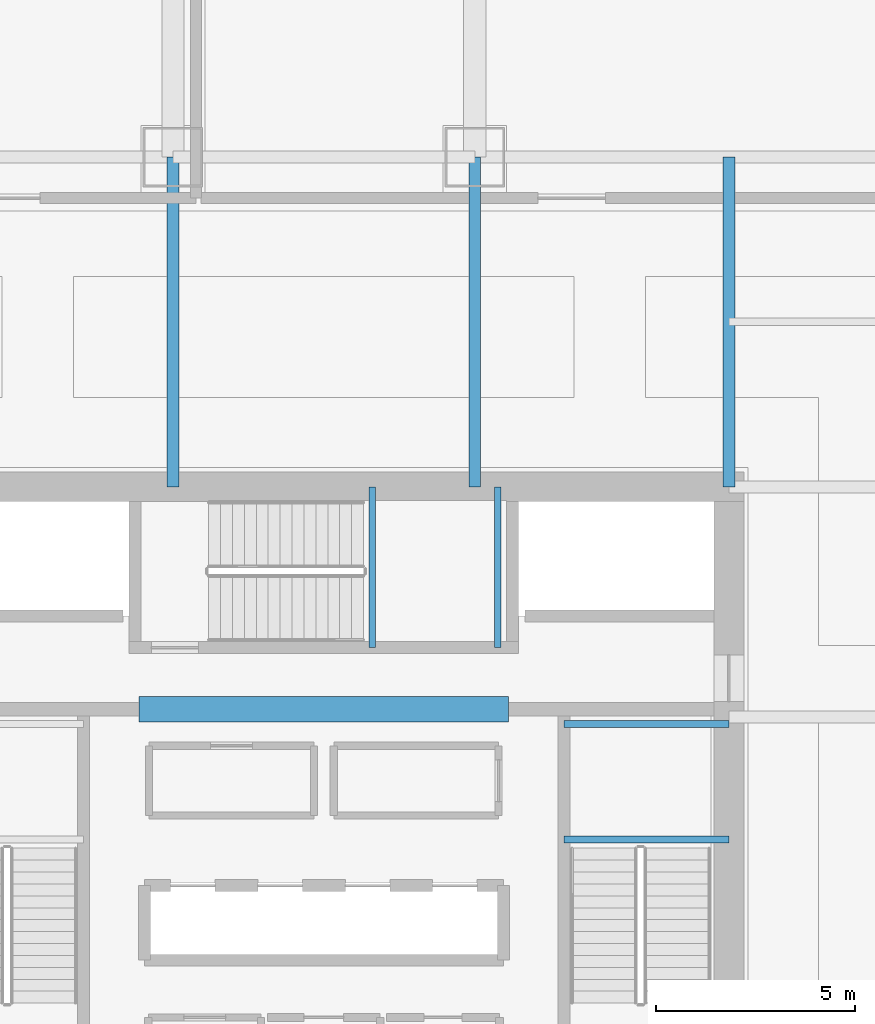
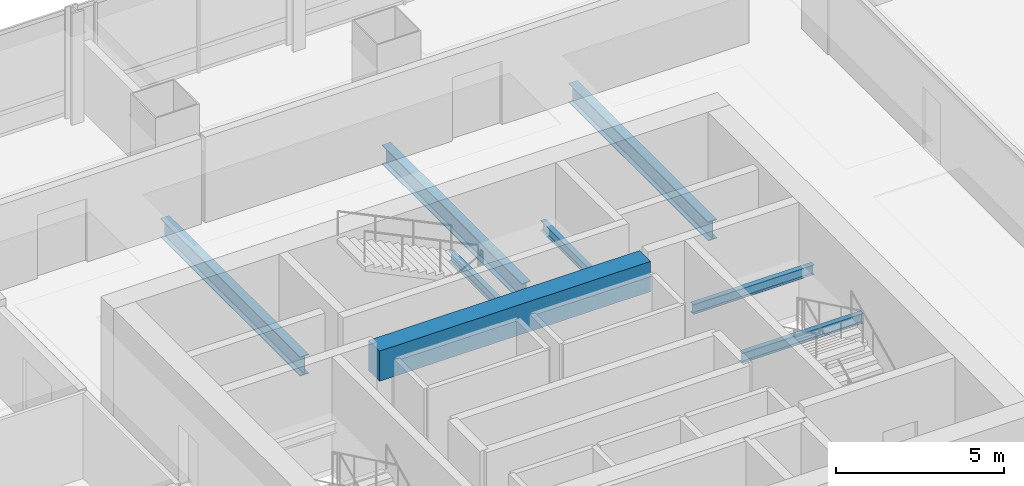
# One storey, part 12 of 34: 8 beams.
"""IFC4 building model written with IfcOpenShell, lengths in metres."""

from ifc_helpers import new_model, si_unit, direction, frame, origin, origin_2d, place, context, subcontext, project, spatial, rectangle, i_section, extrude, material, material_profile, profile_set, type_object, element, save


model = new_model("IFC4")

# Units and contexts
model_context = context("Model", 3, precision=1e-05, world=origin(), true_north=direction((0.0, 1.0)))
body_context = subcontext(model_context, "Body", "Model", "MODEL_VIEW")
ifc_project = project(units=[si_unit("LENGTHUNIT", "METRE"), si_unit("AREAUNIT", "SQUARE_METRE"), si_unit("VOLUMEUNIT", "CUBIC_METRE"), si_unit("PLANEANGLEUNIT", "RADIAN"), si_unit("MASSUNIT", "GRAM", prefix="KILO")], contexts=[model_context])

# Site, building, storey
site_placement = place(None, origin())
site = spatial("IfcSite", under=ifc_project, at=site_placement, CompositionType="ELEMENT")
building_placement = place(site_placement, origin())
building = spatial("IfcBuilding", under=site, at=building_placement, Name="Punatoya Terracotta Tower", CompositionType="ELEMENT")
storey_placement = place(building_placement, frame((0.0, 0.0, 101.10009765625)))
storey = spatial("IfcBuildingStorey", under=building, at=storey_placement, Name="L23", CompositionType="ELEMENT", Elevation=101.10009765625)

# Beams
ifc_material_1 = material(Name="Steel S355", Category="steel")
ifc_material_profile_1 = material_profile(ifc_material_1, i_section(OverallWidth=0.300048828125, OverallDepth=0.699951171875, WebThickness=0.01708984375, FlangeThickness=0.031982421875, FilletRadius=0.01806640625, at=origin_2d()))
ifc_profile_set_1 = profile_set([ifc_material_profile_1], Name="Steel S355")
beam_type_1 = type_object("IfcBeamType", Name="BM-PRI-700", PredefinedType="BEAM", material=ifc_profile_set_1)
for number, where, z_axis, x_axis, name in (
    (1, (-3.800048828125, 9.199951171875, -0.590087890625), (0.0, 1.0, 0.0), (-1.0, 0.0, 0.0), "BM-L23-PR-N2"),
    (2, (3.800048828125, 9.199951171875, -0.590087890625), (0.0, 1.0, 0.0), (-1.0, 0.0, 0.0), "BM-L23-PR-N3"),
    (3, (10.199951171875, 9.199951171875, -0.590087890625), (0.0, 1.0, 0.0), (-1.0, 0.0, 0.0), "BM-L23-PR-N4"),
):
    element("IfcBeam", number, at=place(storey_placement, frame(where, z_axis=z_axis, x_axis=x_axis)), inside=storey, type_object=beam_type_1, Name=name, PredefinedType="BEAM", context=body_context, shape_type="SweptSolid", body=[
        extrude(i_section(OverallWidth=0.300048828125, OverallDepth=0.699951171875, WebThickness=0.01708984375, FlangeThickness=0.031982421875, FilletRadius=0.01806640625, at=origin_2d()), origin(), (0.0, 0.0, 1.0), 8.300048828125),
    ])
ifc_material_2 = material(Name="Concrete C60/75", Category="concrete")
ifc_material_profile_2 = material_profile(ifc_material_2, rectangle(XDim=0.64990234375, YDim=1.10009765625, at=origin_2d()))
ifc_profile_set_2 = profile_set([ifc_material_profile_2], Name="Concrete C60/75")
beam_type_2 = type_object("IfcBeamType", Name="BM-RC-1100", PredefinedType="LINTEL", material=ifc_profile_set_2)
beam_placement = place(storey_placement, frame((-4.64990234375, 3.60009765625, 3.260009765625), z_axis=(1.0, 0.0, 0.0), x_axis=(0.0, 1.0, 0.0)))
element("IfcBeam", 4, at=beam_placement, inside=storey, type_object=beam_type_2, Name="L23 Core Coupling Lintel CNW", PredefinedType="LINTEL", context=body_context, shape_type="SweptSolid", body=[
    extrude(rectangle(XDim=0.64990234375, YDim=1.10009765625, at=origin_2d()), origin(), (0.0, 0.0, 1.0), 9.2998046875),
])
ifc_material_profile_3 = material_profile(ifc_material_1, i_section(OverallWidth=0.169921875, OverallDepth=0.360107421875, WebThickness=0.008056640625, FlangeThickness=0.0126953125, FilletRadius=0.01806640625, at=origin_2d()))
ifc_profile_set_3 = profile_set([ifc_material_profile_3], Name="Steel S355")
beam_type_3 = type_object("IfcBeamType", Name="BM-SEC-360", PredefinedType="JOIST", material=ifc_profile_set_3)
for number, where, z_axis, x_axis, name in (
    (5, (6.050048828125, 0.320068359375, 1.64501953125), (1.0, 0.0, 0.0), (0.0, 1.0, 0.0), "BM-L23-ST-2-LD1A"),
    (6, (6.050048828125, 3.22998046875, 1.64501953125), (1.0, 0.0, 0.0), (0.0, 1.0, 0.0), "BM-L23-ST-2-LD1B"),
):
    element("IfcBeam", number, at=place(storey_placement, frame(where, z_axis=z_axis, x_axis=x_axis)), inside=storey, type_object=beam_type_3, Name=name, PredefinedType="JOIST", context=body_context, shape_type="SweptSolid", body=[
        extrude(i_section(OverallWidth=0.169921875, OverallDepth=0.360107421875, WebThickness=0.008056640625, FlangeThickness=0.0126953125, FilletRadius=0.01806640625, at=origin_2d()), origin(), (0.0, 0.0, 1.0), 4.14990234375),
    ])
for number, where, z_axis, x_axis, name in (
    (7, (1.219970703125, 5.14990234375, 1.64501953125), (0.0, 1.0, 0.0), (-1.0, 0.0, 0.0), "BM-L23-ST-3-LD1A"),
    (8, (4.3798828125, 5.14990234375, 1.64501953125), (0.0, 1.0, 0.0), (-1.0, 0.0, 0.0), "BM-L23-ST-3-LD1B"),
):
    element("IfcBeam", number, at=place(storey_placement, frame(where, z_axis=z_axis, x_axis=x_axis)), inside=storey, type_object=beam_type_3, Name=name, PredefinedType="JOIST", context=body_context, shape_type="SweptSolid", body=[
        extrude(i_section(OverallWidth=0.169921875, OverallDepth=0.360107421875, WebThickness=0.008056640625, FlangeThickness=0.0126953125, FilletRadius=0.01806640625, at=origin_2d()), origin(), (0.0, 0.0, 1.0), 4.050048828125),
    ])

save(model, "model.ifc")
